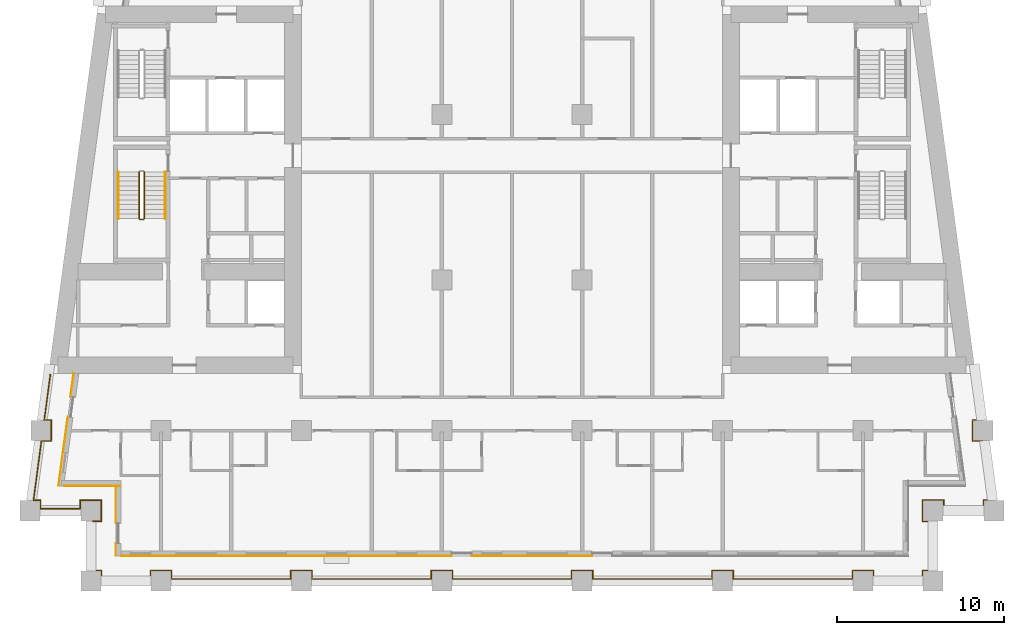
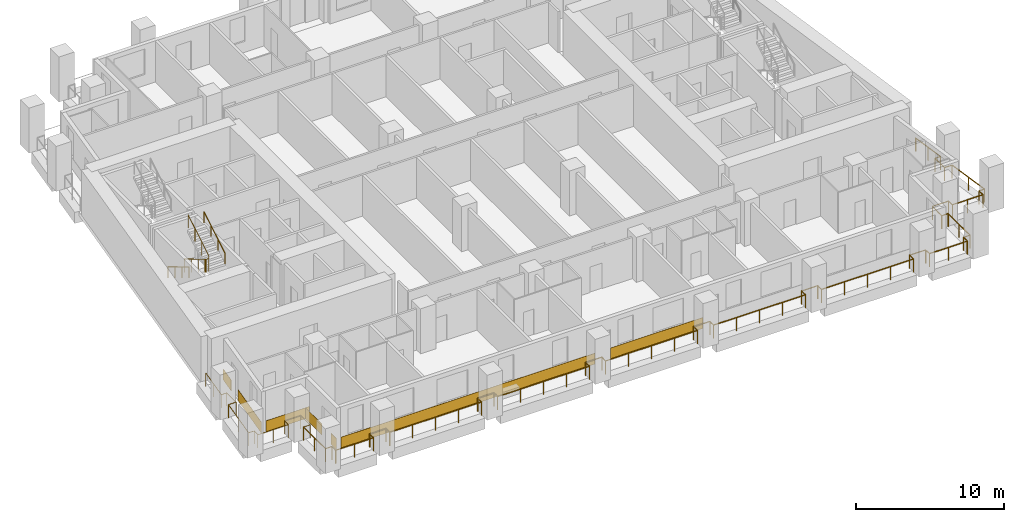
# One storey, part 9 of 13: 7 coverings, 5 railings.
"""IFC4 building model written with IfcOpenShell, lengths in metres."""

from ifc_helpers import new_model, si_unit, direction, frame, origin, origin_2d, place, context, subcontext, project, spatial, rectangle, circle, extrude, material, layer, layer_set, type_object, element, save


model = new_model("IFC4")

# Units and contexts
model_context = context("Model", 3, precision=1e-05, world=origin(), true_north=direction((0.0, 1.0)))
body_context = subcontext(model_context, "Body", "Model", "MODEL_VIEW")
ifc_project = project(units=[si_unit("LENGTHUNIT", "METRE"), si_unit("AREAUNIT", "SQUARE_METRE"), si_unit("VOLUMEUNIT", "CUBIC_METRE"), si_unit("PLANEANGLEUNIT", "RADIAN"), si_unit("MASSUNIT", "GRAM", prefix="KILO")], contexts=[model_context])

# Site, building, storey
site_placement = place(None, origin())
site = spatial("IfcSite", under=ifc_project, at=site_placement, CompositionType="ELEMENT")
building_placement = place(site_placement, origin())
building = spatial("IfcBuilding", under=site, at=building_placement, Name="Candeia Pilgrim Tower and Theatre", CompositionType="ELEMENT")
storey_placement = place(building_placement, frame((0.0, 0.0, 105.800048828125)))
storey = spatial("IfcBuildingStorey", under=building, at=storey_placement, Name="L24", CompositionType="ELEMENT", Elevation=105.800048828125)

# Railings
ifc_material_1 = material(Name="Stainless steel balustrade", Category="steel")
railing_type_1 = type_object("IfcRailingType", Name="G1 loggia guard 1100", PredefinedType="GUARDRAIL", material=ifc_material_1)
railing_1_placement = place(storey_placement, frame((88.320068359375, 101.570068359375, 0.0)))
element("IfcRailing", 1, at=railing_1_placement, inside=storey, type_object=railing_type_1, Name="Guard L24.1", PredefinedType="GUARDRAIL", context=body_context, shape_type="SweptSolid", body=[
    extrude(circle(Radius=0.02392578125, at=origin_2d()), frame((0.0, 0.0, 1.076171875), z_axis=(1.0, 0.0, 0.0), x_axis=(0.0, 1.0, 0.0)), (0.0, 0.0, 1.0), 0.510009765625),
    extrude(circle(Radius=0.02392578125, at=origin_2d()), frame((0.510009765625, 0.0, 1.076171875), z_axis=(0.0, 1.0, 0.0), x_axis=(-1.0, 0.0, 0.0)), (0.0, 0.0, 1.0), 1.260009765625),
    extrude(circle(Radius=0.02392578125, at=origin_2d()), frame((0.510009765625, 1.260009765625, 1.076171875), z_axis=(-1.0, 0.0, 0.0), x_axis=(0.0, -1.0, 0.0)), (0.0, 0.0, 1.0), 1.260009765625),
    extrude(circle(Radius=0.02392578125, at=origin_2d()), frame((-0.75, 1.260009765625, 1.076171875), z_axis=(0.0, -1.0, 0.0), x_axis=(1.0, 0.0, 0.0)), (0.0, 0.0, 1.0), 0.510009765625),
    extrude(circle(Radius=0.02392578125, at=origin_2d()), frame((-0.75, 0.75, 1.076171875), z_axis=(-1.0, 0.0, 0.0), x_axis=(0.0, -1.0, 0.0)), (0.0, 0.0, 1.0), 2.374755859375),
    extrude(circle(Radius=0.02392578125, at=origin_2d()), frame((-3.124755859375, 0.75, 1.076171875), z_axis=(0.0, 1.0, 0.0), x_axis=(-1.0, 0.0, 0.0)), (0.0, 0.0, 1.0), 0.510009765625),
    extrude(circle(Radius=0.02392578125, at=origin_2d()), frame((-3.124755859375, 1.260009765625, 1.076171875), z_axis=(-1.0, 0.0, 0.0), x_axis=(0.0, -1.0, 0.0)), (0.0, 0.0, 1.0), 0.424072265625),
    extrude(circle(Radius=0.02392578125, at=origin_2d()), frame((-3.548828125, 1.260009765625, 1.076171875), z_axis=(0.133417176173, 0.991059966451, 0.0), x_axis=(-0.991059966451, 0.133417176173, 0.0)), (0.0, 0.0, 1.0), 3.572021484375),
    extrude(circle(Radius=0.02392578125, at=origin_2d()), frame((-3.072265625, 4.800048828125, 1.076171875), z_axis=(1.0, 0.0, 0.0), x_axis=(0.0, 1.0, 0.0)), (0.0, 0.0, 1.0), 0.59375),
    extrude(circle(Radius=0.02392578125, at=origin_2d()), frame((-2.478515625, 4.800048828125, 1.076171875), z_axis=(0.0, 1.0, 0.0), x_axis=(-1.0, 0.0, 0.0)), (0.0, 0.0, 1.0), 1.259765625),
    extrude(circle(Radius=0.02392578125, at=origin_2d()), frame((-2.478515625, 6.059814453125, 1.076171875), z_axis=(-1.0, 0.0, 0.0), x_axis=(0.0, -1.0, 0.0)), (0.0, 0.0, 1.0), 0.424072265625),
    extrude(circle(Radius=0.02392578125, at=origin_2d()), frame((-2.902587890625, 6.059814453125, 1.076171875), z_axis=(0.1334220927, 0.991059304572, 0.0), x_axis=(-0.991059304572, 0.1334220927, 0.0)), (0.0, 0.0, 1.0), 2.744873046875),
    extrude(circle(Radius=0.02099609375, at=origin_2d()), origin(), (0.0, 0.0, 1.0), 1.052001953125),
    extrude(circle(Radius=0.02099609375, at=origin_2d()), frame((0.510009765625, 0.0, 0.0)), (0.0, 0.0, 1.0), 1.052001953125),
    extrude(circle(Radius=0.02099609375, at=origin_2d()), frame((0.510009765625, 1.260009765625, 0.0)), (0.0, 0.0, 1.0), 1.052001953125),
    extrude(circle(Radius=0.02099609375, at=origin_2d()), frame((-0.75, 1.260009765625, 0.0)), (0.0, 0.0, 1.0), 1.052001953125),
    extrude(circle(Radius=0.02099609375, at=origin_2d()), frame((-0.75, 0.75, 0.0)), (0.0, 0.0, 1.0), 1.052001953125),
    extrude(circle(Radius=0.02099609375, at=origin_2d()), frame((-1.9375, 0.75, 0.0)), (0.0, 0.0, 1.0), 1.052001953125),
    extrude(circle(Radius=0.02099609375, at=origin_2d()), frame((-3.124755859375, 0.75, 0.0)), (0.0, 0.0, 1.0), 1.052001953125),
    extrude(circle(Radius=0.02099609375, at=origin_2d()), frame((-3.124755859375, 1.260009765625, 0.0)), (0.0, 0.0, 1.0), 1.052001953125),
    extrude(circle(Radius=0.02099609375, at=origin_2d()), frame((-3.548828125, 1.260009765625, 0.0)), (0.0, 0.0, 1.0), 1.052001953125),
    extrude(circle(Radius=0.02099609375, at=origin_2d()), frame((-3.310546875, 3.030029296875, 0.0)), (0.0, 0.0, 1.0), 1.052001953125),
    extrude(circle(Radius=0.02099609375, at=origin_2d()), frame((-3.072265625, 4.800048828125, 0.0)), (0.0, 0.0, 1.0), 1.052001953125),
    extrude(circle(Radius=0.02099609375, at=origin_2d()), frame((-2.478515625, 4.800048828125, 0.0)), (0.0, 0.0, 1.0), 1.052001953125),
    extrude(circle(Radius=0.02099609375, at=origin_2d()), frame((-2.478515625, 6.059814453125, 0.0)), (0.0, 0.0, 1.0), 1.052001953125),
    extrude(circle(Radius=0.02099609375, at=origin_2d()), frame((-2.902587890625, 6.059814453125, 0.0)), (0.0, 0.0, 1.0), 1.052001953125),
    extrude(circle(Radius=0.02099609375, at=origin_2d()), frame((-2.719482421875, 7.419921875, 0.0)), (0.0, 0.0, 1.0), 1.052001953125),
    extrude(circle(Radius=0.02099609375, at=origin_2d()), frame((-2.536376953125, 8.780029296875, 0.0)), (0.0, 0.0, 1.0), 1.052001953125),
])
railing_2_placement = place(storey_placement, frame((141.016357421875, 110.35009765625, 0.0)))
element("IfcRailing", 2, at=railing_2_placement, inside=storey, type_object=railing_type_1, Name="Guard L24.4", PredefinedType="GUARDRAIL", context=body_context, shape_type="SweptSolid", body=[
    extrude(circle(Radius=0.02392578125, at=origin_2d()), frame((0.0, 0.0, 1.076171875), z_axis=(0.1334220927, -0.991059304572, 0.0), x_axis=(0.991059304572, 0.1334220927, 0.0)), (0.0, 0.0, 1.0), 2.744873046875),
    extrude(circle(Radius=0.02392578125, at=origin_2d()), frame((0.3662109375, -2.72021484375, 1.076171875), z_axis=(-1.0, 0.0, 0.0), x_axis=(0.0, -1.0, 0.0)), (0.0, 0.0, 1.0), 0.424072265625),
    extrude(circle(Radius=0.02392578125, at=origin_2d()), frame((-0.057861328125, -2.72021484375, 1.076171875), z_axis=(0.0, -1.0, 0.0), x_axis=(1.0, 0.0, 0.0)), (0.0, 0.0, 1.0), 1.259765625),
    extrude(circle(Radius=0.02392578125, at=origin_2d()), frame((-0.057861328125, -3.97998046875, 1.076171875), z_axis=(1.0, 0.0, 0.0), x_axis=(0.0, 1.0, 0.0)), (0.0, 0.0, 1.0), 0.59375),
    extrude(circle(Radius=0.02392578125, at=origin_2d()), frame((0.535888671875, -3.97998046875, 1.076171875), z_axis=(0.133417176173, -0.991059966451, 0.0), x_axis=(0.991059966451, 0.133417176173, 0.0)), (0.0, 0.0, 1.0), 3.572021484375),
    extrude(circle(Radius=0.02392578125, at=origin_2d()), frame((1.012451171875, -7.52001953125, 1.076171875), z_axis=(-1.0, 0.0, 0.0), x_axis=(0.0, -1.0, 0.0)), (0.0, 0.0, 1.0), 0.424072265625),
    extrude(circle(Radius=0.02392578125, at=origin_2d()), frame((0.58837890625, -7.52001953125, 1.076171875), z_axis=(0.0, -1.0, 0.0), x_axis=(1.0, 0.0, 0.0)), (0.0, 0.0, 1.0), 0.510009765625),
    extrude(circle(Radius=0.02392578125, at=origin_2d()), frame((0.58837890625, -8.030029296875, 1.076171875), z_axis=(-1.0, 0.0, 0.0), x_axis=(0.0, -1.0, 0.0)), (0.0, 0.0, 1.0), 2.374755859375),
    extrude(circle(Radius=0.02392578125, at=origin_2d()), frame((-1.786376953125, -8.030029296875, 1.076171875), z_axis=(0.0, 1.0, 0.0), x_axis=(-1.0, 0.0, 0.0)), (0.0, 0.0, 1.0), 0.510009765625),
    extrude(circle(Radius=0.02392578125, at=origin_2d()), frame((-1.786376953125, -7.52001953125, 1.076171875), z_axis=(-1.0, 0.0, 0.0), x_axis=(0.0, -1.0, 0.0)), (0.0, 0.0, 1.0), 1.260009765625),
    extrude(circle(Radius=0.02392578125, at=origin_2d()), frame((-3.04638671875, -7.52001953125, 1.076171875), z_axis=(0.0, -1.0, 0.0), x_axis=(1.0, 0.0, 0.0)), (0.0, 0.0, 1.0), 1.260009765625),
    extrude(circle(Radius=0.02392578125, at=origin_2d()), frame((-3.04638671875, -8.780029296875, 1.076171875), z_axis=(1.0, 0.0, 0.0), x_axis=(0.0, 1.0, 0.0)), (0.0, 0.0, 1.0), 0.510009765625),
    extrude(circle(Radius=0.02392578125, at=origin_2d()), frame((-2.536376953125, -8.780029296875, 1.076171875), z_axis=(0.0, -1.0, 0.0), x_axis=(1.0, 0.0, 0.0)), (0.0, 0.0, 1.0), 2.940185546875),
    extrude(circle(Radius=0.02392578125, at=origin_2d()), frame((-2.536376953125, -11.72021484375, 1.076171875), z_axis=(-1.0, 0.0, 0.0), x_axis=(0.0, -1.0, 0.0)), (0.0, 0.0, 1.0), 0.510009765625),
    extrude(circle(Radius=0.02392578125, at=origin_2d()), frame((-3.04638671875, -11.72021484375, 1.076171875), z_axis=(0.0, -1.0, 0.0), x_axis=(1.0, 0.0, 0.0)), (0.0, 0.0, 1.0), 0.509765625),
    extrude(circle(Radius=0.02392578125, at=origin_2d()), frame((-3.04638671875, -12.22998046875, 1.076171875), z_axis=(-1.0, 0.0, 0.0), x_axis=(0.0, -1.0, 0.0)), (0.0, 0.0, 1.0), 2.93994140625),
    extrude(circle(Radius=0.02392578125, at=origin_2d()), frame((-5.986328125, -12.22998046875, 1.076171875), z_axis=(0.0, 1.0, 0.0), x_axis=(-1.0, 0.0, 0.0)), (0.0, 0.0, 1.0), 0.509765625),
    extrude(circle(Radius=0.02392578125, at=origin_2d()), frame((-5.986328125, -11.72021484375, 1.076171875), z_axis=(-1.0, 0.0, 0.0), x_axis=(0.0, -1.0, 0.0)), (0.0, 0.0, 1.0), 1.260009765625),
    extrude(circle(Radius=0.02392578125, at=origin_2d()), frame((-7.246337890625, -11.72021484375, 1.076171875), z_axis=(0.0, -1.0, 0.0), x_axis=(1.0, 0.0, 0.0)), (0.0, 0.0, 1.0), 0.509765625),
    extrude(circle(Radius=0.02392578125, at=origin_2d()), frame((-7.246337890625, -12.22998046875, 1.076171875), z_axis=(-1.0, 0.0, 0.0), x_axis=(0.0, -1.0, 0.0)), (0.0, 0.0, 1.0), 7.14013671875),
    extrude(circle(Radius=0.02392578125, at=origin_2d()), frame((-14.386474609375, -12.22998046875, 1.076171875), z_axis=(0.0, 1.0, 0.0), x_axis=(-1.0, 0.0, 0.0)), (0.0, 0.0, 1.0), 0.509765625),
    extrude(circle(Radius=0.02392578125, at=origin_2d()), frame((-14.386474609375, -11.72021484375, 1.076171875), z_axis=(-1.0, 0.0, 0.0), x_axis=(0.0, -1.0, 0.0)), (0.0, 0.0, 1.0), 1.259765625),
    extrude(circle(Radius=0.02392578125, at=origin_2d()), frame((-15.646240234375, -11.72021484375, 1.076171875), z_axis=(0.0, -1.0, 0.0), x_axis=(1.0, 0.0, 0.0)), (0.0, 0.0, 1.0), 0.509765625),
    extrude(circle(Radius=0.02392578125, at=origin_2d()), frame((-15.646240234375, -12.22998046875, 1.076171875), z_axis=(-1.0, 0.0, 0.0), x_axis=(0.0, -1.0, 0.0)), (0.0, 0.0, 1.0), 7.14013671875),
    extrude(circle(Radius=0.02392578125, at=origin_2d()), frame((-22.786376953125, -12.22998046875, 1.076171875), z_axis=(0.0, 1.0, 0.0), x_axis=(-1.0, 0.0, 0.0)), (0.0, 0.0, 1.0), 0.509765625),
    extrude(circle(Radius=0.02392578125, at=origin_2d()), frame((-22.786376953125, -11.72021484375, 1.076171875), z_axis=(-1.0, 0.0, 0.0), x_axis=(0.0, -1.0, 0.0)), (0.0, 0.0, 1.0), 1.260009765625),
    extrude(circle(Radius=0.02392578125, at=origin_2d()), frame((-24.04638671875, -11.72021484375, 1.076171875), z_axis=(0.0, -1.0, 0.0), x_axis=(1.0, 0.0, 0.0)), (0.0, 0.0, 1.0), 0.509765625),
    extrude(circle(Radius=0.02392578125, at=origin_2d()), frame((-24.04638671875, -12.22998046875, 1.076171875), z_axis=(-1.0, 0.0, 0.0), x_axis=(0.0, -1.0, 0.0)), (0.0, 0.0, 1.0), 7.139892578125),
    extrude(circle(Radius=0.02392578125, at=origin_2d()), frame((-31.186279296875, -12.22998046875, 1.076171875), z_axis=(0.0, 1.0, 0.0), x_axis=(-1.0, 0.0, 0.0)), (0.0, 0.0, 1.0), 0.509765625),
    extrude(circle(Radius=0.02392578125, at=origin_2d()), frame((-31.186279296875, -11.72021484375, 1.076171875), z_axis=(-1.0, 0.0, 0.0), x_axis=(0.0, -1.0, 0.0)), (0.0, 0.0, 1.0), 1.260009765625),
    extrude(circle(Radius=0.02392578125, at=origin_2d()), frame((-32.4462890625, -11.72021484375, 1.076171875), z_axis=(0.0, -1.0, 0.0), x_axis=(1.0, 0.0, 0.0)), (0.0, 0.0, 1.0), 0.509765625),
    extrude(circle(Radius=0.02392578125, at=origin_2d()), frame((-32.4462890625, -12.22998046875, 1.076171875), z_axis=(-1.0, 0.0, 0.0), x_axis=(0.0, -1.0, 0.0)), (0.0, 0.0, 1.0), 7.14013671875),
    extrude(circle(Radius=0.02392578125, at=origin_2d()), frame((-39.58642578125, -12.22998046875, 1.076171875), z_axis=(0.0, 1.0, 0.0), x_axis=(-1.0, 0.0, 0.0)), (0.0, 0.0, 1.0), 0.509765625),
    extrude(circle(Radius=0.02392578125, at=origin_2d()), frame((-39.58642578125, -11.72021484375, 1.076171875), z_axis=(-1.0, 0.0, 0.0), x_axis=(0.0, -1.0, 0.0)), (0.0, 0.0, 1.0), 1.260009765625),
    extrude(circle(Radius=0.02392578125, at=origin_2d()), frame((-40.846435546875, -11.72021484375, 1.076171875), z_axis=(0.0, -1.0, 0.0), x_axis=(1.0, 0.0, 0.0)), (0.0, 0.0, 1.0), 0.509765625),
    extrude(circle(Radius=0.02392578125, at=origin_2d()), frame((-40.846435546875, -12.22998046875, 1.076171875), z_axis=(-1.0, 0.0, 0.0), x_axis=(0.0, -1.0, 0.0)), (0.0, 0.0, 1.0), 7.139892578125),
    extrude(circle(Radius=0.02392578125, at=origin_2d()), frame((-47.986328125, -12.22998046875, 1.076171875), z_axis=(0.0, 1.0, 0.0), x_axis=(-1.0, 0.0, 0.0)), (0.0, 0.0, 1.0), 0.509765625),
    extrude(circle(Radius=0.02392578125, at=origin_2d()), frame((-47.986328125, -11.72021484375, 1.076171875), z_axis=(-1.0, 0.0, 0.0), x_axis=(0.0, -1.0, 0.0)), (0.0, 0.0, 1.0), 1.260009765625),
    extrude(circle(Radius=0.02392578125, at=origin_2d()), frame((-49.246337890625, -11.72021484375, 1.076171875), z_axis=(0.0, -1.0, 0.0), x_axis=(1.0, 0.0, 0.0)), (0.0, 0.0, 1.0), 0.509765625),
    extrude(circle(Radius=0.02392578125, at=origin_2d()), frame((-49.246337890625, -12.22998046875, 1.076171875), z_axis=(-1.0, 0.0, 0.0), x_axis=(0.0, -1.0, 0.0)), (0.0, 0.0, 1.0), 2.93994140625),
    extrude(circle(Radius=0.02392578125, at=origin_2d()), frame((-52.186279296875, -12.22998046875, 1.076171875), z_axis=(0.0, 1.0, 0.0), x_axis=(-1.0, 0.0, 0.0)), (0.0, 0.0, 1.0), 0.509765625),
    extrude(circle(Radius=0.02392578125, at=origin_2d()), frame((-52.186279296875, -11.72021484375, 1.076171875), z_axis=(-1.0, 0.0, 0.0), x_axis=(0.0, -1.0, 0.0)), (0.0, 0.0, 1.0), 0.510009765625),
    extrude(circle(Radius=0.02392578125, at=origin_2d()), frame((-52.6962890625, -11.72021484375, 1.076171875), z_axis=(0.0, 1.0, 0.0), x_axis=(-1.0, 0.0, 0.0)), (0.0, 0.0, 1.0), 2.940185546875),
    extrude(circle(Radius=0.02099609375, at=origin_2d()), origin(), (0.0, 0.0, 1.0), 1.052001953125),
    extrude(circle(Radius=0.02099609375, at=origin_2d()), frame((0.18310546875, -1.360107421875, 0.0)), (0.0, 0.0, 1.0), 1.052001953125),
    extrude(circle(Radius=0.02099609375, at=origin_2d()), frame((0.3662109375, -2.72021484375, 0.0)), (0.0, 0.0, 1.0), 1.052001953125),
    extrude(circle(Radius=0.02099609375, at=origin_2d()), frame((-0.057861328125, -2.72021484375, 0.0)), (0.0, 0.0, 1.0), 1.052001953125),
    extrude(circle(Radius=0.02099609375, at=origin_2d()), frame((-0.057861328125, -3.97998046875, 0.0)), (0.0, 0.0, 1.0), 1.052001953125),
    extrude(circle(Radius=0.02099609375, at=origin_2d()), frame((0.535888671875, -3.97998046875, 0.0)), (0.0, 0.0, 1.0), 1.052001953125),
    extrude(circle(Radius=0.02099609375, at=origin_2d()), frame((0.774169921875, -5.75, 0.0)), (0.0, 0.0, 1.0), 1.052001953125),
    extrude(circle(Radius=0.02099609375, at=origin_2d()), frame((1.012451171875, -7.52001953125, 0.0)), (0.0, 0.0, 1.0), 1.052001953125),
    extrude(circle(Radius=0.02099609375, at=origin_2d()), frame((0.58837890625, -7.52001953125, 0.0)), (0.0, 0.0, 1.0), 1.052001953125),
    extrude(circle(Radius=0.02099609375, at=origin_2d()), frame((0.58837890625, -8.030029296875, 0.0)), (0.0, 0.0, 1.0), 1.052001953125),
    extrude(circle(Radius=0.02099609375, at=origin_2d()), frame((-0.59912109375, -8.030029296875, 0.0)), (0.0, 0.0, 1.0), 1.052001953125),
    extrude(circle(Radius=0.02099609375, at=origin_2d()), frame((-1.786376953125, -8.030029296875, 0.0)), (0.0, 0.0, 1.0), 1.052001953125),
    extrude(circle(Radius=0.02099609375, at=origin_2d()), frame((-1.786376953125, -7.52001953125, 0.0)), (0.0, 0.0, 1.0), 1.052001953125),
    extrude(circle(Radius=0.02099609375, at=origin_2d()), frame((-3.04638671875, -7.52001953125, 0.0)), (0.0, 0.0, 1.0), 1.052001953125),
    extrude(circle(Radius=0.02099609375, at=origin_2d()), frame((-3.04638671875, -8.780029296875, 0.0)), (0.0, 0.0, 1.0), 1.052001953125),
    extrude(circle(Radius=0.02099609375, at=origin_2d()), frame((-2.536376953125, -8.780029296875, 0.0)), (0.0, 0.0, 1.0), 1.052001953125),
    extrude(circle(Radius=0.02099609375, at=origin_2d()), frame((-2.536376953125, -10.25, 0.0)), (0.0, 0.0, 1.0), 1.052001953125),
    extrude(circle(Radius=0.02099609375, at=origin_2d()), frame((-2.536376953125, -11.72021484375, 0.0)), (0.0, 0.0, 1.0), 1.052001953125),
    extrude(circle(Radius=0.02099609375, at=origin_2d()), frame((-3.04638671875, -11.72021484375, 0.0)), (0.0, 0.0, 1.0), 1.052001953125),
    extrude(circle(Radius=0.02099609375, at=origin_2d()), frame((-3.04638671875, -12.22998046875, 0.0)), (0.0, 0.0, 1.0), 1.052001953125),
    extrude(circle(Radius=0.02099609375, at=origin_2d()), frame((-4.516357421875, -12.22998046875, 0.0)), (0.0, 0.0, 1.0), 1.052001953125),
    extrude(circle(Radius=0.02099609375, at=origin_2d()), frame((-5.986328125, -12.22998046875, 0.0)), (0.0, 0.0, 1.0), 1.052001953125),
    extrude(circle(Radius=0.02099609375, at=origin_2d()), frame((-5.986328125, -11.72021484375, 0.0)), (0.0, 0.0, 1.0), 1.052001953125),
    extrude(circle(Radius=0.02099609375, at=origin_2d()), frame((-7.246337890625, -11.72021484375, 0.0)), (0.0, 0.0, 1.0), 1.052001953125),
    extrude(circle(Radius=0.02099609375, at=origin_2d()), frame((-7.246337890625, -12.22998046875, 0.0)), (0.0, 0.0, 1.0), 1.052001953125),
    extrude(circle(Radius=0.02099609375, at=origin_2d()), frame((-9.03125, -12.22998046875, 0.0)), (0.0, 0.0, 1.0), 1.052001953125),
    extrude(circle(Radius=0.02099609375, at=origin_2d()), frame((-10.81640625, -12.22998046875, 0.0)), (0.0, 0.0, 1.0), 1.052001953125),
    extrude(circle(Radius=0.02099609375, at=origin_2d()), frame((-12.6015625, -12.22998046875, 0.0)), (0.0, 0.0, 1.0), 1.052001953125),
    extrude(circle(Radius=0.02099609375, at=origin_2d()), frame((-14.386474609375, -12.22998046875, 0.0)), (0.0, 0.0, 1.0), 1.052001953125),
    extrude(circle(Radius=0.02099609375, at=origin_2d()), frame((-14.386474609375, -11.72021484375, 0.0)), (0.0, 0.0, 1.0), 1.052001953125),
    extrude(circle(Radius=0.02099609375, at=origin_2d()), frame((-15.646240234375, -11.72021484375, 0.0)), (0.0, 0.0, 1.0), 1.052001953125),
    extrude(circle(Radius=0.02099609375, at=origin_2d()), frame((-15.646240234375, -12.22998046875, 0.0)), (0.0, 0.0, 1.0), 1.052001953125),
    extrude(circle(Radius=0.02099609375, at=origin_2d()), frame((-17.43115234375, -12.22998046875, 0.0)), (0.0, 0.0, 1.0), 1.052001953125),
    extrude(circle(Radius=0.02099609375, at=origin_2d()), frame((-19.21630859375, -12.22998046875, 0.0)), (0.0, 0.0, 1.0), 1.052001953125),
    extrude(circle(Radius=0.02099609375, at=origin_2d()), frame((-21.00146484375, -12.22998046875, 0.0)), (0.0, 0.0, 1.0), 1.052001953125),
    extrude(circle(Radius=0.02099609375, at=origin_2d()), frame((-22.786376953125, -12.22998046875, 0.0)), (0.0, 0.0, 1.0), 1.052001953125),
    extrude(circle(Radius=0.02099609375, at=origin_2d()), frame((-22.786376953125, -11.72021484375, 0.0)), (0.0, 0.0, 1.0), 1.052001953125),
    extrude(circle(Radius=0.02099609375, at=origin_2d()), frame((-24.04638671875, -11.72021484375, 0.0)), (0.0, 0.0, 1.0), 1.052001953125),
    extrude(circle(Radius=0.02099609375, at=origin_2d()), frame((-24.04638671875, -12.22998046875, 0.0)), (0.0, 0.0, 1.0), 1.052001953125),
    extrude(circle(Radius=0.02099609375, at=origin_2d()), frame((-25.831298828125, -12.22998046875, 0.0)), (0.0, 0.0, 1.0), 1.052001953125),
    extrude(circle(Radius=0.02099609375, at=origin_2d()), frame((-27.6162109375, -12.22998046875, 0.0)), (0.0, 0.0, 1.0), 1.052001953125),
    extrude(circle(Radius=0.02099609375, at=origin_2d()), frame((-29.4013671875, -12.22998046875, 0.0)), (0.0, 0.0, 1.0), 1.052001953125),
    extrude(circle(Radius=0.02099609375, at=origin_2d()), frame((-31.186279296875, -12.22998046875, 0.0)), (0.0, 0.0, 1.0), 1.052001953125),
    extrude(circle(Radius=0.02099609375, at=origin_2d()), frame((-31.186279296875, -11.72021484375, 0.0)), (0.0, 0.0, 1.0), 1.052001953125),
    extrude(circle(Radius=0.02099609375, at=origin_2d()), frame((-32.4462890625, -11.72021484375, 0.0)), (0.0, 0.0, 1.0), 1.052001953125),
    extrude(circle(Radius=0.02099609375, at=origin_2d()), frame((-32.4462890625, -12.22998046875, 0.0)), (0.0, 0.0, 1.0), 1.052001953125),
    extrude(circle(Radius=0.02099609375, at=origin_2d()), frame((-34.2314453125, -12.22998046875, 0.0)), (0.0, 0.0, 1.0), 1.052001953125),
    extrude(circle(Radius=0.02099609375, at=origin_2d()), frame((-36.016357421875, -12.22998046875, 0.0)), (0.0, 0.0, 1.0), 1.052001953125),
    extrude(circle(Radius=0.02099609375, at=origin_2d()), frame((-37.80126953125, -12.22998046875, 0.0)), (0.0, 0.0, 1.0), 1.052001953125),
    extrude(circle(Radius=0.02099609375, at=origin_2d()), frame((-39.58642578125, -12.22998046875, 0.0)), (0.0, 0.0, 1.0), 1.052001953125),
    extrude(circle(Radius=0.02099609375, at=origin_2d()), frame((-39.58642578125, -11.72021484375, 0.0)), (0.0, 0.0, 1.0), 1.052001953125),
    extrude(circle(Radius=0.02099609375, at=origin_2d()), frame((-40.846435546875, -11.72021484375, 0.0)), (0.0, 0.0, 1.0), 1.052001953125),
    extrude(circle(Radius=0.02099609375, at=origin_2d()), frame((-40.846435546875, -12.22998046875, 0.0)), (0.0, 0.0, 1.0), 1.052001953125),
    extrude(circle(Radius=0.02099609375, at=origin_2d()), frame((-42.63134765625, -12.22998046875, 0.0)), (0.0, 0.0, 1.0), 1.052001953125),
    extrude(circle(Radius=0.02099609375, at=origin_2d()), frame((-44.41650390625, -12.22998046875, 0.0)), (0.0, 0.0, 1.0), 1.052001953125),
    extrude(circle(Radius=0.02099609375, at=origin_2d()), frame((-46.201416015625, -12.22998046875, 0.0)), (0.0, 0.0, 1.0), 1.052001953125),
    extrude(circle(Radius=0.02099609375, at=origin_2d()), frame((-47.986328125, -12.22998046875, 0.0)), (0.0, 0.0, 1.0), 1.052001953125),
    extrude(circle(Radius=0.02099609375, at=origin_2d()), frame((-47.986328125, -11.72021484375, 0.0)), (0.0, 0.0, 1.0), 1.052001953125),
    extrude(circle(Radius=0.02099609375, at=origin_2d()), frame((-49.246337890625, -11.72021484375, 0.0)), (0.0, 0.0, 1.0), 1.052001953125),
    extrude(circle(Radius=0.02099609375, at=origin_2d()), frame((-49.246337890625, -12.22998046875, 0.0)), (0.0, 0.0, 1.0), 1.052001953125),
    extrude(circle(Radius=0.02099609375, at=origin_2d()), frame((-50.71630859375, -12.22998046875, 0.0)), (0.0, 0.0, 1.0), 1.052001953125),
    extrude(circle(Radius=0.02099609375, at=origin_2d()), frame((-52.186279296875, -12.22998046875, 0.0)), (0.0, 0.0, 1.0), 1.052001953125),
    extrude(circle(Radius=0.02099609375, at=origin_2d()), frame((-52.186279296875, -11.72021484375, 0.0)), (0.0, 0.0, 1.0), 1.052001953125),
    extrude(circle(Radius=0.02099609375, at=origin_2d()), frame((-52.6962890625, -11.72021484375, 0.0)), (0.0, 0.0, 1.0), 1.052001953125),
    extrude(circle(Radius=0.02099609375, at=origin_2d()), frame((-52.6962890625, -10.25, 0.0)), (0.0, 0.0, 1.0), 1.052001953125),
    extrude(circle(Radius=0.02099609375, at=origin_2d()), frame((-52.6962890625, -8.780029296875, 0.0)), (0.0, 0.0, 1.0), 1.052001953125),
])

# Coverings
ifc_material_2 = material(Name="Glazed ceramic tile red")
ifc_layer = layer(ifc_material_2, 0.02001953125)
ifc_layer_set = layer_set([ifc_layer], Name="Glazed ceramic tile red")
covering_type = type_object("IfcCoveringType", Name="Glazed ceramic tile red", PredefinedType="CLADDING", material=ifc_layer_set)
covering_1_placement = place(storey_placement, frame((99.909912109375, 99.489990234375, 0.0), z_axis=(0.0, 0.0, 1.0), x_axis=(1.0, 0.0, 0.0)))
element("IfcCovering", 3, at=covering_1_placement, inside=storey, type_object=covering_type, Name="Tile cladding red L24", PredefinedType="CLADDING", context=body_context, shape_type="SweptSolid", body=[
    extrude(rectangle(XDim=19.780029296875, YDim=0.02001953125, at=origin_2d()), origin(), (0.0, 0.0, 1.0), 0.89990234375),
])
covering_2_placement = place(storey_placement, frame((114.60009765625, 99.489990234375, 0.0), z_axis=(0.0, 0.0, 1.0), x_axis=(1.0, 0.0, 0.0)))
element("IfcCovering", 4, at=covering_2_placement, inside=storey, type_object=covering_type, Name="Tile cladding red L24", PredefinedType="CLADDING", context=body_context, shape_type="SweptSolid", body=[
    extrude(rectangle(XDim=7.199951171875, YDim=0.02001953125, at=origin_2d()), origin(), (0.0, 0.0, 1.0), 0.89990234375),
])
covering_3_placement = place(storey_placement, frame((87.0810546875, 109.71875, 0.0), z_axis=(0.0, 0.0, 1.0), x_axis=(-0.133412012145, -0.991060661622, 0.0)))
element("IfcCovering", 5, at=covering_3_placement, inside=storey, type_object=covering_type, Name="Tile cladding red L24", PredefinedType="CLADDING", context=body_context, shape_type="SweptSolid", body=[
    extrude(rectangle(XDim=1.41796875, YDim=0.02001953125, at=origin_2d()), origin(), (0.0, 0.0, 1.0), 0.89990234375),
])
covering_4_placement = place(storey_placement, frame((86.548583984375, 105.763916015625, 0.0), z_axis=(0.0, 0.0, 1.0), x_axis=(-0.133412012145, -0.991060661622, 0.0)))
element("IfcCovering", 6, at=covering_4_placement, inside=storey, type_object=covering_type, Name="Tile cladding red L24", PredefinedType="CLADDING", context=body_context, shape_type="SweptSolid", body=[
    extrude(rectangle(XDim=4.16259765625, YDim=0.02001953125, at=origin_2d()), origin(), (0.0, 0.0, 1.0), 0.89990234375),
])
covering_5_placement = place(storey_placement, frame((88.311279296875, 103.68994140625, 0.0), z_axis=(0.0, 0.0, 1.0), x_axis=(1.0, 0.0, 0.0)))
element("IfcCovering", 7, at=covering_5_placement, inside=storey, type_object=covering_type, Name="Tile cladding red L24", PredefinedType="CLADDING", context=body_context, shape_type="SweptSolid", body=[
    extrude(rectangle(XDim=3.377685546875, YDim=0.02001953125, at=origin_2d()), origin(), (0.0, 0.0, 1.0), 0.89990234375),
])
covering_6_placement = place(storey_placement, frame((89.68994140625, 102.56494140625, 0.0), z_axis=(0.0, 0.0, 1.0), x_axis=(0.0, -1.0, 0.0)))
element("IfcCovering", 8, at=covering_6_placement, inside=storey, type_object=covering_type, Name="Tile cladding red L24", PredefinedType="CLADDING", context=body_context, shape_type="SweptSolid", body=[
    extrude(rectangle(XDim=2.22998046875, YDim=0.02001953125, at=origin_2d()), origin(), (0.0, 0.0, 1.0), 0.89990234375),
])
covering_7_placement = place(storey_placement, frame((89.68994140625, 99.875, 0.0), z_axis=(0.0, 0.0, 1.0), x_axis=(0.0, -1.0, 0.0)))
element("IfcCovering", 9, at=covering_7_placement, inside=storey, type_object=covering_type, Name="Tile cladding red L24", PredefinedType="CLADDING", context=body_context, shape_type="SweptSolid", body=[
    extrude(rectangle(XDim=0.75, YDim=0.02001953125, at=origin_2d()), origin(), (0.0, 0.0, 1.0), 0.89990234375),
])

# Railings
railing_type_2 = type_object("IfcRailingType", Name="RL-GUARD-1100", PredefinedType="GUARDRAIL", material=ifc_material_1)
railing_3_placement = place(storey_placement, frame((91.10205078125, 122.47509765625, 0.168212890625)))
element("IfcRailing", 10, at=railing_3_placement, inside=storey, type_object=railing_type_2, Name="L24 ST1 stair guard 1", PredefinedType="GUARDRAIL", context=body_context, shape_type="SweptSolid", body=[
    extrude(circle(Radius=0.02392578125, at=origin_2d()), frame((0.0, 0.0, 1.076171875), z_axis=(0.0, -0.857275202839, 0.514858452973), x_axis=(1.0, 0.0, 0.0)), (0.0, 0.0, 1.0), 3.26611328125),
    extrude(circle(Radius=0.02392578125, at=origin_2d()), frame((0.0, -2.800048828125, 2.7578125), z_axis=(0.707106781187, -0.707106781187, 0.0), x_axis=(0.707106781187, 0.707106781187, 0.0)), (0.0, 0.0, 1.0), 0.07080078125),
    extrude(circle(Radius=0.02392578125, at=origin_2d()), frame((0.050048828125, -2.85009765625, 2.7578125), z_axis=(1.0, 0.0, 0.0), x_axis=(0.0, 1.0, 0.0)), (0.0, 0.0, 1.0), 0.199951171875),
    extrude(circle(Radius=0.02392578125, at=origin_2d()), frame((0.25, -2.85009765625, 2.7578125), z_axis=(0.274243871929, 0.274243871929, 0.92172696468), x_axis=(-0.707106781187, 0.707106781187, 0.0)), (0.0, 0.0, 1.0), 0.1826171875),
    extrude(circle(Radius=0.02392578125, at=origin_2d()), frame((0.300048828125, -2.800048828125, 2.92578125), z_axis=(0.0, 0.857242210791, 0.514913383045), x_axis=(-1.0, 0.0, 0.0)), (0.0, 0.0, 1.0), 3.266357421875),
    extrude(circle(Radius=0.02099609375, at=origin_2d()), origin(), (0.0, 0.0, 1.0), 1.052001953125),
    extrude(circle(Radius=0.02099609375, at=origin_2d()), frame((0.0, -0.933349609375, 0.560546875)), (0.0, 0.0, 1.0), 1.052001953125),
    extrude(circle(Radius=0.02099609375, at=origin_2d()), frame((0.0, -1.86669921875, 1.12109375)), (0.0, 0.0, 1.0), 1.052001953125),
    extrude(circle(Radius=0.02099609375, at=origin_2d()), frame((0.0, -2.800048828125, 1.681640625)), (0.0, 0.0, 1.0), 1.052001953125),
    extrude(circle(Radius=0.02099609375, at=origin_2d()), frame((0.050048828125, -2.85009765625, 1.681640625)), (0.0, 0.0, 1.0), 1.052001953125),
    extrude(circle(Radius=0.02099609375, at=origin_2d()), frame((0.25, -2.85009765625, 1.681640625)), (0.0, 0.0, 1.0), 1.052001953125),
    extrude(circle(Radius=0.02099609375, at=origin_2d()), frame((0.300048828125, -2.800048828125, 1.849853515625)), (0.0, 0.0, 1.0), 1.052001953125),
    extrude(circle(Radius=0.02099609375, at=origin_2d()), frame((0.300048828125, -1.86669921875, 2.410400390625)), (0.0, 0.0, 1.0), 1.052001953125),
    extrude(circle(Radius=0.02099609375, at=origin_2d()), frame((0.300048828125, -0.933349609375, 2.97119140625)), (0.0, 0.0, 1.0), 1.052001953125),
    extrude(circle(Radius=0.02099609375, at=origin_2d()), frame((0.300048828125, 0.0, 3.53173828125)), (0.0, 0.0, 1.0), 1.052001953125),
])
ifc_material_3 = material(Name="Stainless steel handrail", Category="steel")
railing_type_3 = type_object("IfcRailingType", Name="RL-HANDRAIL-900", PredefinedType="HANDRAIL", material=ifc_material_3)
railing_4_placement = place(storey_placement, frame((89.85205078125, 122.47509765625, 0.168212890625)))
element("IfcRailing", 11, at=railing_4_placement, inside=storey, type_object=railing_type_3, Name="L24 ST1 stair handrail 1", PredefinedType="HANDRAIL", context=body_context, shape_type="SweptSolid", body=[
    extrude(circle(Radius=0.02392578125, at=origin_2d()), frame((0.0, 0.0, 0.8759765625), z_axis=(0.0, -0.857275202839, 0.514858452973), x_axis=(1.0, 0.0, 0.0)), (0.0, 0.0, 1.0), 3.26611328125),
    extrude(circle(Radius=0.02099609375, at=origin_2d()), origin(), (0.0, 0.0, 1.0), 0.851806640625),
    extrude(circle(Radius=0.02099609375, at=origin_2d()), frame((0.0, -0.933349609375, 0.560546875)), (0.0, 0.0, 1.0), 0.851806640625),
    extrude(circle(Radius=0.02099609375, at=origin_2d()), frame((0.0, -1.86669921875, 1.12109375)), (0.0, 0.0, 1.0), 0.851806640625),
    extrude(circle(Radius=0.02099609375, at=origin_2d()), frame((0.0, -2.800048828125, 1.681640625)), (0.0, 0.0, 1.0), 0.851806640625),
])
railing_5_placement = place(storey_placement, frame((92.652099609375, 119.675048828125, 2.01806640625)))
element("IfcRailing", 12, at=railing_5_placement, inside=storey, type_object=railing_type_3, Name="L24 ST1 stair handrail 2", PredefinedType="HANDRAIL", context=body_context, shape_type="SweptSolid", body=[
    extrude(circle(Radius=0.02392578125, at=origin_2d()), frame((0.0, 0.0, 0.8759765625), z_axis=(0.0, 0.857242210791, 0.514913383045), x_axis=(-1.0, 0.0, 0.0)), (0.0, 0.0, 1.0), 3.266357421875),
    extrude(circle(Radius=0.02099609375, at=origin_2d()), origin(), (0.0, 0.0, 1.0), 0.851806640625),
    extrude(circle(Radius=0.02099609375, at=origin_2d()), frame((0.0, 0.933349609375, 0.560546875)), (0.0, 0.0, 1.0), 0.851806640625),
    extrude(circle(Radius=0.02099609375, at=origin_2d()), frame((0.0, 1.86669921875, 1.121337890625)), (0.0, 0.0, 1.0), 0.851806640625),
    extrude(circle(Radius=0.02099609375, at=origin_2d()), frame((0.0, 2.800048828125, 1.681884765625)), (0.0, 0.0, 1.0), 0.851806640625),
])

save(model, "model.ifc")
